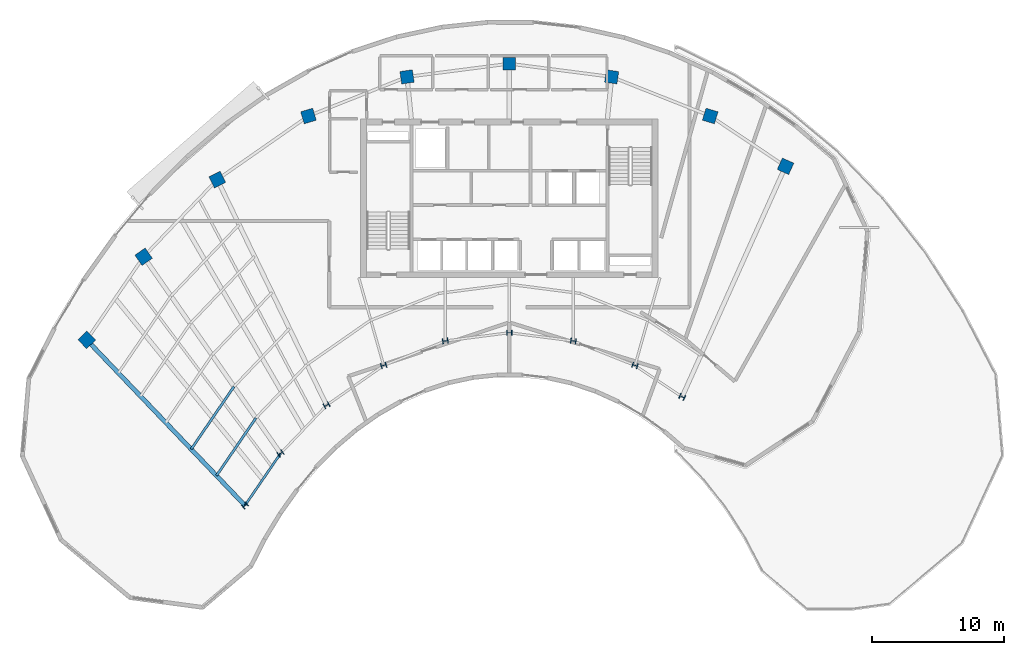
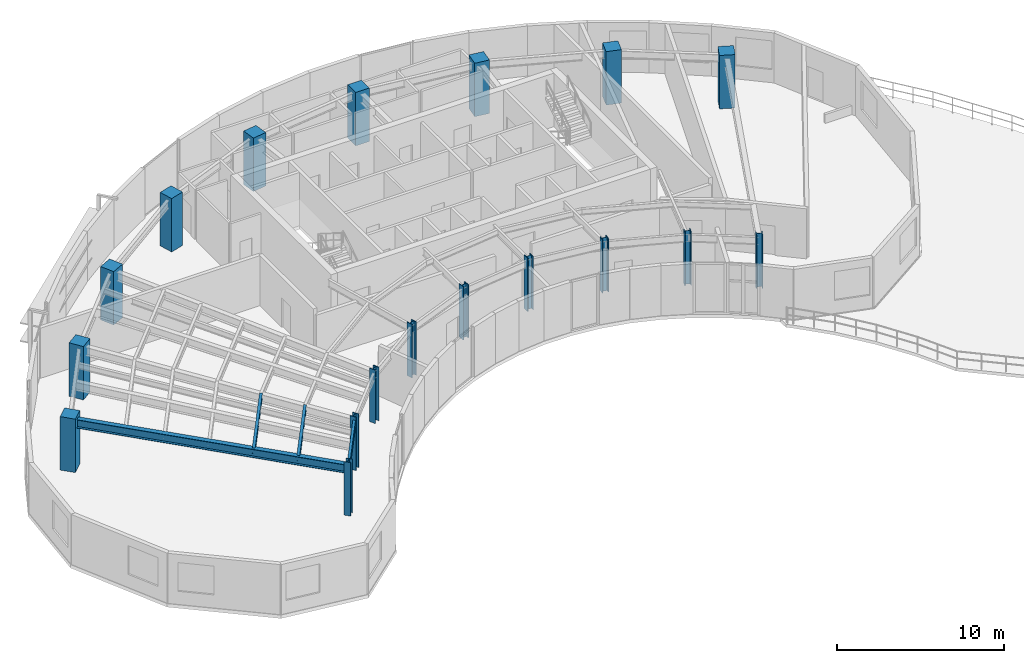
# One storey, part 1 of 15: 18 columns, 4 beams.
"""IFC4 building model written with IfcOpenShell, lengths in metres."""

from ifc_helpers import new_model, si_unit, direction, frame, origin, origin_2d, place, context, subcontext, project, spatial, rectangle, i_section, extrude, source, transform, mapped, material, material_profile, profile_set, type_object, type_shapes, element, save


model = new_model("IFC4")

# Units and contexts
model_context = context("Model", 3, precision=1e-05, world=origin(), true_north=direction((0.0, 1.0)))
body_context = subcontext(model_context, "Body", "Model", "MODEL_VIEW")
ifc_project = project(units=[si_unit("LENGTHUNIT", "METRE"), si_unit("AREAUNIT", "SQUARE_METRE"), si_unit("VOLUMEUNIT", "CUBIC_METRE"), si_unit("PLANEANGLEUNIT", "RADIAN"), si_unit("MASSUNIT", "GRAM", prefix="KILO")], contexts=[model_context])

# Site, building, storey
site_placement = place(None, origin())
site = spatial("IfcSite", under=ifc_project, at=site_placement, CompositionType="ELEMENT")
building_placement = place(site_placement, origin())
building = spatial("IfcBuilding", under=site, at=building_placement, Name="Breltana Convention Tower", CompositionType="ELEMENT")
storey_placement = place(building_placement, frame((0.0, 0.0, 231.300048828125)))
storey = spatial("IfcBuildingStorey", under=building, at=storey_placement, Name="L56", CompositionType="ELEMENT", Elevation=231.300048828125)

# Columns
ifc_material_1 = material(Name="Steel ASTM A992 Grade 50", Category="steel")
ifc_material_profile_1 = material_profile(ifc_material_1, i_section(OverallWidth=0.406005859375, OverallDepth=0.416015625, WebThickness=0.02978515625, FlangeThickness=0.048095703125, at=origin_2d()), Name="W14X257")
ifc_profile_set_1 = profile_set([ifc_material_profile_1], Name="Steel ASTM A992 Grade 50")
column_type_1 = type_object("IfcColumnType", Name="COL-STL-W14X257", PredefinedType="COLUMN", material=ifc_profile_set_1)
shared_shape_1 = source(origin(), body_context, "Body", "SweptSolid", [
    extrude(i_section(OverallWidth=0.406005859375, OverallDepth=0.416015625, WebThickness=0.02978515625, FlangeThickness=0.048095703125, at=origin_2d()), origin(), (0.0, 0.0, 1.0), 3.89990234375),
])
for number, where, z_axis, x_axis, name in (
    (1, (27.984619140625, 42.95458984375, 0.0), (0.0, 0.0, 1.0), (-0.690756218984, 0.723087716626, 0.0), "L56 Tower Column R01-IN"),
    (2, (30.67724609375, 46.892333984375, 0.0), (0.0, 0.0, 1.0), (-0.571143442153, 0.820850271661, 0.0), "L56 Tower Column R02-IN"),
    (3, (34.166259765625, 50.544921875, 0.0), (0.0, 0.0, 1.0), (-0.436173672171, 0.899862504889, 0.0), "L56 Tower Column R03-IN"),
    (4, (38.485107421875, 53.5576171875, 0.0), (0.0, 0.0, 1.0), (-0.288697611798, 0.957420330337, 0.0), "L56 Tower Column R04-IN"),
    (5, (43.153564453125, 55.41064453125, 0.0), (0.0, 0.0, 1.0), (-0.143492621991, 0.98965138682, 0.0), "L56 Tower Column R05-IN"),
    (6, (48.0, 56.035888671875, 0.0), (0.0, 0.0, 1.0), (0.0, 1.0, 0.0), "L56 Tower Column R06-IN"),
    (7, (52.846435546875, 55.41064453125, 0.0), (0.0, 0.0, 1.0), (0.143492621991, 0.98965138682, 0.0), "L56 Tower Column R07-IN"),
    (8, (57.514892578125, 53.5576171875, 0.0), (0.0, 0.0, 1.0), (0.288697611798, 0.957420330337, 0.0), "L56 Tower Column R08-IN"),
    (9, (61.08203125, 51.174560546875, 0.0), (0.0, 0.0, 1.0), (0.409126902895, 0.912477494148, 0.0), "L56 Tower Column R09-IN"),
):
    element("IfcColumn", number, at=place(storey_placement, frame(where, z_axis=z_axis, x_axis=x_axis)), inside=storey, type_object=column_type_1, Name=name, PredefinedType="COLUMN", context=body_context, shape_type="MappedRepresentation", body=[
        mapped(shared_shape_1, transform((0.0, 0.0, 0.0), scale=1.0)),
    ])
ifc_material_2 = material(Name="Concrete C50/60", Category="concrete")
ifc_material_profile_2 = material_profile(ifc_material_2, rectangle(XDim=0.949951171875, YDim=0.949951171875, at=origin_2d()), Name="RC-COL-950X950")
ifc_profile_set_2 = profile_set([ifc_material_profile_2], Name="Concrete C50/60")
column_type_2 = type_object("IfcColumnType", Name="COL-RC-950", PredefinedType="COLUMN", material=ifc_profile_set_2)
shared_shape_2 = source(origin(), body_context, "Body", "SweptSolid", [
    extrude(rectangle(XDim=0.949951171875, YDim=0.949951171875, at=origin_2d()), origin(), (0.0, 0.0, 1.0), 3.89990234375),
])
for number, where, z_axis, x_axis, name in (
    (10, (16.0068359375, 55.494384765625, 0.0), (0.0, 0.0, 1.0), (-0.690756218984, 0.723087716626, 0.0), "L56 Tower Column R01-OUT"),
    (11, (20.310791015625, 61.78857421875, 0.0), (0.0, 0.0, 1.0), (-0.571143442153, 0.820850271661, 0.0), "L56 Tower Column R02-OUT"),
    (12, (25.8876953125, 67.626953125, 0.0), (0.0, 0.0, 1.0), (-0.436173672171, 0.899862504889, 0.0), "L56 Tower Column R03-OUT"),
    (13, (32.791015625, 72.4423828125, 0.0), (0.0, 0.0, 1.0), (-0.288697611798, 0.957420330337, 0.0), "L56 Tower Column R04-OUT"),
    (14, (40.253173828125, 75.404296875, 0.0), (0.0, 0.0, 1.0), (-0.143492621991, 0.98965138682, 0.0), "L56 Tower Column R05-OUT"),
    (15, (48.0, 76.404052734375, 0.0), (0.0, 0.0, 1.0), (0.0, 1.0, 0.0), "L56 Tower Column R06-OUT"),
    (16, (55.746826171875, 75.404296875, 0.0), (0.0, 0.0, 1.0), (0.143492621991, 0.98965138682, 0.0), "L56 Tower Column R07-OUT"),
    (17, (63.208984375, 72.4423828125, 0.0), (0.0, 0.0, 1.0), (0.288697611798, 0.957420330337, 0.0), "L56 Tower Column R08-OUT"),
    (18, (68.910400390625, 68.63330078125, 0.0), (0.0, 0.0, 1.0), (0.409126902895, 0.912477494148, 0.0), "L56 Tower Column R09-OUT"),
):
    element("IfcColumn", number, at=place(storey_placement, frame(where, z_axis=z_axis, x_axis=x_axis)), inside=storey, type_object=column_type_2, Name=name, PredefinedType="COLUMN", context=body_context, shape_type="MappedRepresentation", body=[
        mapped(shared_shape_2, transform((0.0, 0.0, 0.0), scale=1.0)),
    ])

# Beams
ifc_material_profile_3 = material_profile(ifc_material_1, i_section(OverallWidth=0.166015625, OverallDepth=0.534912109375, WebThickness=0.01025390625, FlangeThickness=0.0166015625, at=origin_2d()), Name="W21X57")
ifc_profile_set_3 = profile_set([ifc_material_profile_3], Name="Steel ASTM A992 Grade 50")
beam_type_1 = type_object("IfcBeamType", Name="BM-BM-W21X57", PredefinedType="BEAM", material=ifc_profile_set_3)
shared_shape_3 = source(origin(), body_context, "Body", "SweptSolid", [
    extrude(i_section(OverallWidth=0.166015625, OverallDepth=0.534912109375, WebThickness=0.01025390625, FlangeThickness=0.0166015625, at=origin_2d()), origin(), (0.0, 0.0, 1.0), 4.770263671875),
])
beam_1_placement = place(storey_placement, frame((27.984619140625, 42.95458984375, 3.382568359375), z_axis=(0.564452719055, 0.82546540082, 0.0), x_axis=(-0.82546540082, 0.564452719055, 0.0)))
element("IfcBeam", 19, at=beam_1_placement, inside=storey, type_object=beam_type_1, Name="L56 Inner Ring Beam 01", PredefinedType="BEAM", context=body_context, shape_type="MappedRepresentation", body=[
    mapped(shared_shape_3, transform((0.0, 0.0, 0.0), scale=1.0)),
])
ifc_material_profile_4 = material_profile(ifc_material_1, i_section(OverallWidth=0.326904296875, OverallDepth=0.6220703125, WebThickness=0.015380859375, FlangeThickness=0.0244140625, at=origin_2d()), Name="W24X131")
ifc_profile_set_4 = profile_set([ifc_material_profile_4], Name="Steel ASTM A992 Grade 50")
beam_type_2 = type_object("IfcBeamType", Name="BM-RG-W24X131", PredefinedType="USERDEFINED", material=ifc_profile_set_4)
shared_shape_4 = source(origin(), body_context, "Body", "SweptSolid", [
    extrude(i_section(OverallWidth=0.326904296875, OverallDepth=0.6220703125, WebThickness=0.015380859375, FlangeThickness=0.0244140625, at=origin_2d()), origin(), (0.0, 0.0, 1.0), 17.341064453125),
])
type_shapes(beam_type_2, [shared_shape_4])
beam_2_placement = place(storey_placement, frame((27.984619140625, 42.95458984375, 3.3388671875), z_axis=(-0.690716462293, 0.723125693581, 0.0), x_axis=(-0.723125693581, -0.690716462293, 0.0)))
element("IfcBeam", 20, at=beam_2_placement, inside=storey, type_object=beam_type_2, Name="L56 Radial Floor Girder R01", ObjectType="GIRDER", PredefinedType="USERDEFINED", context=body_context, shape_type="MappedRepresentation", body=[
    mapped(shared_shape_4, transform((0.0, 0.0, 0.0), scale=1.0)),
])
ifc_material_profile_5 = material_profile(ifc_material_1, i_section(OverallWidth=0.179931640625, OverallDepth=0.4130859375, WebThickness=0.009765625, FlangeThickness=0.01611328125, at=origin_2d()), Name="W16X50")
ifc_profile_set_5 = profile_set([ifc_material_profile_5], Name="Steel ASTM A992 Grade 50")
beam_type_3 = type_object("IfcBeamType", Name="BM-JSG-08", PredefinedType="JOIST", material=ifc_profile_set_5)
shared_shape_5 = source(origin(), body_context, "Body", "SweptSolid", [
    extrude(i_section(OverallWidth=0.179931640625, OverallDepth=0.4130859375, WebThickness=0.009765625, FlangeThickness=0.01611328125, at=origin_2d()), origin(), (0.0, 0.0, 1.0), 5.2841796875),
])
beam_3_placement = place(storey_placement, frame((25.82861328125, 45.2119140625, 3.443359375), z_axis=(0.564460290479, 0.825460223434, 0.0), x_axis=(-0.825460223434, 0.564460290479, 0.0)))
element("IfcBeam", 21, at=beam_3_placement, inside=storey, type_object=beam_type_3, Name="L56 Composite Floor Joist 01.1", PredefinedType="JOIST", context=body_context, shape_type="MappedRepresentation", body=[
    mapped(shared_shape_5, transform((0.0, 0.0, 0.0), scale=1.0)),
])
shared_shape_6 = source(origin(), body_context, "Body", "SweptSolid", [
    extrude(i_section(OverallWidth=0.179931640625, OverallDepth=0.4130859375, WebThickness=0.009765625, FlangeThickness=0.01611328125, at=origin_2d()), origin(), (0.0, 0.0, 1.0), 5.74072265625),
])
beam_4_placement = place(storey_placement, frame((23.912109375, 47.21826171875, 3.443359375), z_axis=(0.5644658829, 0.825456399238, 0.0), x_axis=(-0.825456399238, 0.5644658829, 0.0)))
element("IfcBeam", 22, at=beam_4_placement, inside=storey, type_object=beam_type_3, Name="L56 Composite Floor Joist 01.2", PredefinedType="JOIST", context=body_context, shape_type="MappedRepresentation", body=[
    mapped(shared_shape_6, transform((0.0, 0.0, 0.0), scale=1.0)),
])

save(model, "model.ifc")
